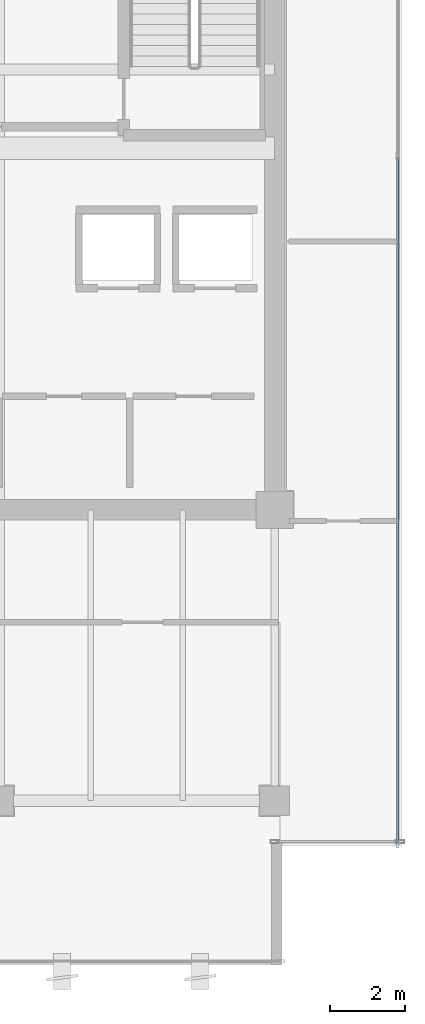
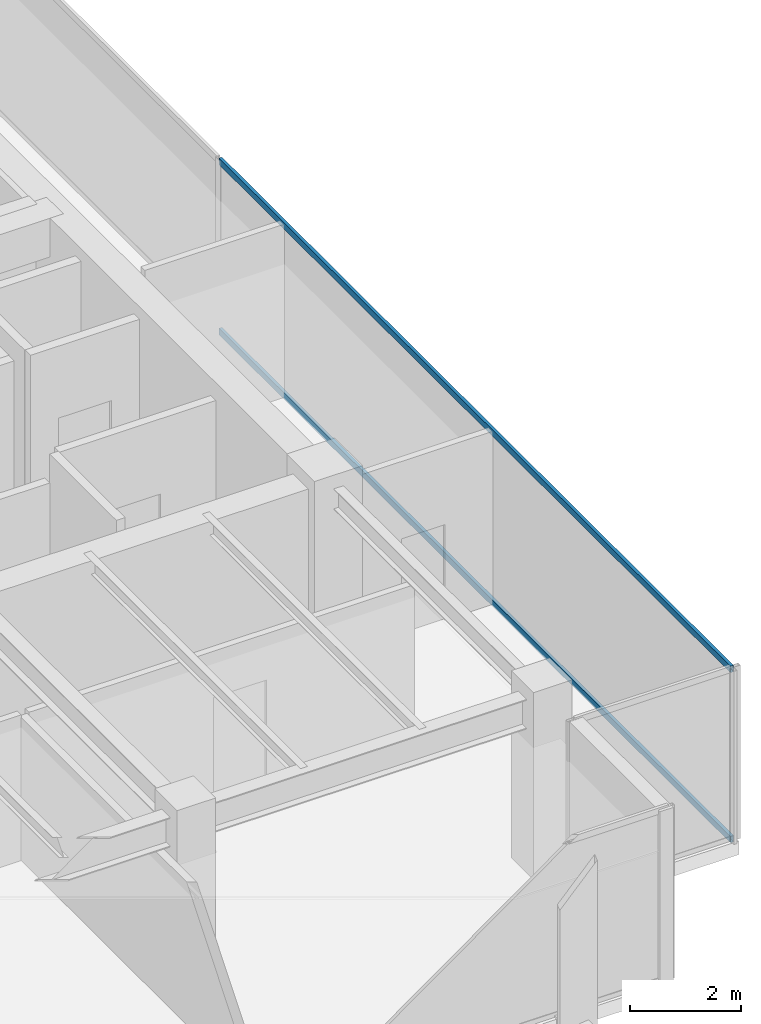
# One storey, part 23 of 36: 2 members, 1 element without a shape of its own.
"""IFC4 building model written with IfcOpenShell, lengths in metres."""

from ifc_helpers import new_model, si_unit, direction, frame, origin, origin_2d, place, context, subcontext, project, spatial, hollow_rectangle, extrude, source, transform, mapped, material, layer, layer_set, material_profile, profile_set, type_object, type_shapes, element, aggregate, save


model = new_model("IFC4")

# Units and contexts
model_context = context("Model", 3, precision=1e-05, world=origin(), true_north=direction((0.0, 1.0)))
body_context = subcontext(model_context, "Body", "Model", "MODEL_VIEW")
ifc_project = project(units=[si_unit("LENGTHUNIT", "METRE"), si_unit("AREAUNIT", "SQUARE_METRE"), si_unit("VOLUMEUNIT", "CUBIC_METRE"), si_unit("PLANEANGLEUNIT", "RADIAN"), si_unit("MASSUNIT", "GRAM", prefix="KILO")], contexts=[model_context])

# Site, building, storey
site_placement = place(None, origin())
site = spatial("IfcSite", under=ifc_project, at=site_placement, CompositionType="ELEMENT")
building_placement = place(site_placement, origin())
building = spatial("IfcBuilding", under=site, at=building_placement, Name="Haelvirn Gate Laboratories", CompositionType="ELEMENT")
storey_placement = place(building_placement, frame((0.0, 0.0, 242.39990234375)))
storey = spatial("IfcBuildingStorey", under=building, at=storey_placement, Name="L58", CompositionType="ELEMENT", Elevation=242.39990234375)

# Curtain wall, members
ifc_material_1 = material(Name="Anodised bronze unitised aluminium & triple low-E glass", Category="aluminium")
ifc_layer = layer(ifc_material_1, 0.176025390625, Name="CW-SYS-4")
ifc_layer_set = layer_set([ifc_layer], Name="Anodised bronze unitised aluminium & triple low-E glass")
curtain_wall_type = type_object("IfcCurtainWallType", Name="CW-SYS-4", PredefinedType="NOTDEFINED", material=ifc_layer_set)
curtain_wall_placement = place(storey_placement, origin())
curtain_wall = element("IfcCurtainWall", 1, at=curtain_wall_placement, inside=storey, type_object=curtain_wall_type, Name="L58 Unitised Curtain Wall CW-L58-P0-E07", PredefinedType="NOTDEFINED")
ifc_material_2 = material(Name="Extruded aluminium 6063-T6 (anodised bronze)", Category="aluminium")
ifc_material_profile = material_profile(ifc_material_2, hollow_rectangle(XDim=0.06494140625, YDim=0.139892578125, WallThickness=0.00390625, at=origin_2d()), Name="CWT-140x65x4")
ifc_profile_set = profile_set([ifc_material_profile], Name="Extruded aluminium 6063-T6 (anodised bronze)")
member_type = type_object("IfcMemberType", Name="CWT-T140", PredefinedType="USERDEFINED", material=ifc_profile_set)
shared_shape = source(origin(), body_context, "Body", "SweptSolid", [
    extrude(hollow_rectangle(XDim=0.06494140625, YDim=0.139892578125, WallThickness=0.00390625, at=origin_2d()), origin(), (0.0, 0.0, 1.0), 18.394775390625),
])
type_shapes(member_type, [shared_shape])
member_1_placement = place(storey_placement, frame((70.699951171875, 5.8701171875, 0.03271484375), z_axis=(0.0, 1.0, 0.0), x_axis=(-1.0, 0.0, 0.0)))
member_1 = element("IfcMember", 2, at=member_1_placement, type_object=member_type, Name="CW4 transom 1.1", ObjectType="TRANSOM", PredefinedType="USERDEFINED", context=body_context, shape_type="MappedRepresentation", body=[
    mapped(shared_shape, transform((0.0, 0.0, 0.0), scale=1.0)),
])
member_2_placement = place(storey_placement, frame((70.699951171875, 5.8701171875, 3.767578125), z_axis=(0.0, 1.0, 0.0), x_axis=(-1.0, 0.0, 0.0)))
member_2 = element("IfcMember", 3, at=member_2_placement, type_object=member_type, Name="CW4 transom 1.2", ObjectType="TRANSOM", PredefinedType="USERDEFINED", context=body_context, shape_type="MappedRepresentation", body=[
    mapped(shared_shape, transform((0.0, 0.0, 0.0), scale=1.0)),
])
aggregate(curtain_wall, [member_1, member_2])

save(model, "model.ifc")
